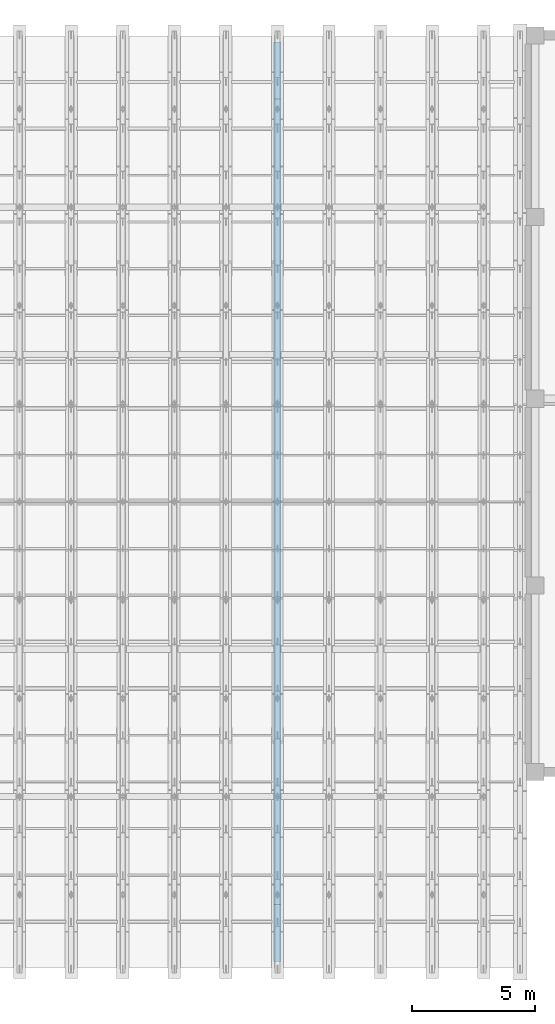
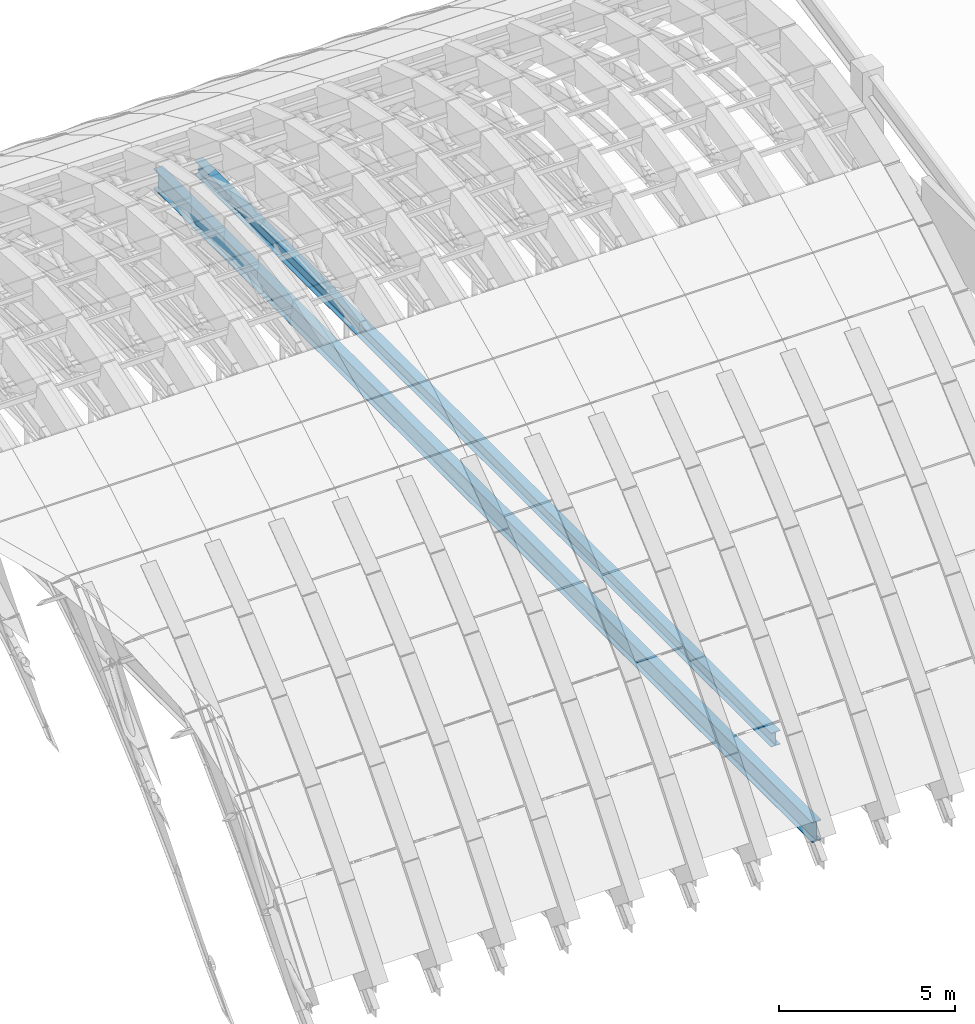
# One storey, part 27 of 67: 2 beams.
"""IFC4 building model written with IfcOpenShell, lengths in metres."""

from ifc_helpers import new_model, si_unit, direction, frame, origin, origin_2d, place, context, subcontext, project, spatial, i_section, extrude, material, material_profile, profile_set, type_object, element, save


model = new_model("IFC4")

# Units and contexts
model_context = context("Model", 3, precision=1e-05, world=origin(), true_north=direction((0.0, 1.0)))
body_context = subcontext(model_context, "Body", "Model", "MODEL_VIEW")
ifc_project = project(units=[si_unit("LENGTHUNIT", "METRE"), si_unit("AREAUNIT", "SQUARE_METRE"), si_unit("VOLUMEUNIT", "CUBIC_METRE"), si_unit("PLANEANGLEUNIT", "RADIAN"), si_unit("MASSUNIT", "GRAM", prefix="KILO")], contexts=[model_context])

# Site, building, storey
site_placement = place(None, origin())
site = spatial("IfcSite", under=ifc_project, at=site_placement, CompositionType="ELEMENT")
building_placement = place(site_placement, origin())
building = spatial("IfcBuilding", under=site, at=building_placement, Name="Shengluoqiao Park Theatre", CompositionType="ELEMENT")
storey_placement = place(building_placement, frame((0.0, 0.0, 28.60009765625)))
storey = spatial("IfcBuildingStorey", under=building, at=storey_placement, Name="Roof", CompositionType="ELEMENT", Elevation=28.60009765625)

# Beams
ifc_material_1 = material(Name="Steel Q355", Category="steel")
ifc_material_profile_1 = material_profile(ifc_material_1, i_section(OverallWidth=0.300048828125, OverallDepth=0.488037109375, WebThickness=0.010986328125, FlangeThickness=0.01806640625, FilletRadius=0.02197265625, at=origin_2d()), Name="HM 488x300x11x18")
ifc_profile_set_1 = profile_set([ifc_material_profile_1], Name="Steel Q355")
beam_type_1 = type_object("IfcBeamType", Name="STR-BM-G-HM488", PredefinedType="BEAM", material=ifc_profile_set_1)
beam_1_placement = place(storey_placement, frame((75.89990234375, 78.60009765625, -8.150146484375), z_axis=(0.0, 1.0, 0.0), x_axis=(-1.0, 0.0, 0.0)))
element("IfcBeam", 1, at=beam_1_placement, inside=storey, type_object=beam_type_1, Name="Barrel-Shell Acoustic Tie Truss Top Chord 16", PredefinedType="BEAM", context=body_context, shape_type="SweptSolid", body=[
    extrude(i_section(OverallWidth=0.300048828125, OverallDepth=0.488037109375, WebThickness=0.010986328125, FlangeThickness=0.01806640625, FilletRadius=0.02197265625, at=origin_2d()), origin(), (0.0, 0.0, 1.0), 32.7998046875),
])
ifc_material_2 = material(Name="Steel Q390", Category="steel")
ifc_material_profile_2 = material_profile(ifc_material_2, i_section(OverallWidth=0.300048828125, OverallDepth=0.699951171875, WebThickness=0.012939453125, FlangeThickness=0.02392578125, FilletRadius=0.02392578125, at=origin_2d()), Name="HN 700x300x13x24")
ifc_profile_set_2 = profile_set([ifc_material_profile_2], Name="Steel Q390")
beam_type_2 = type_object("IfcBeamType", Name="STR-BM-G-HN700", PredefinedType="BEAM", material=ifc_profile_set_2)
beam_2_placement = place(storey_placement, frame((75.89990234375, 76.280029296875, -9.9501953125), z_axis=(0.0, 1.0, 0.0), x_axis=(-1.0, 0.0, 0.0)))
element("IfcBeam", 2, at=beam_2_placement, inside=storey, type_object=beam_type_2, Name="Barrel-Shell Acoustic Tie Truss Bottom Chord 16", PredefinedType="BEAM", context=body_context, shape_type="SweptSolid", body=[
    extrude(i_section(OverallWidth=0.300048828125, OverallDepth=0.699951171875, WebThickness=0.012939453125, FlangeThickness=0.02392578125, FilletRadius=0.02392578125, at=origin_2d()), origin(), (0.0, 0.0, 1.0), 37.43994140625),
])

save(model, "model.ifc")
